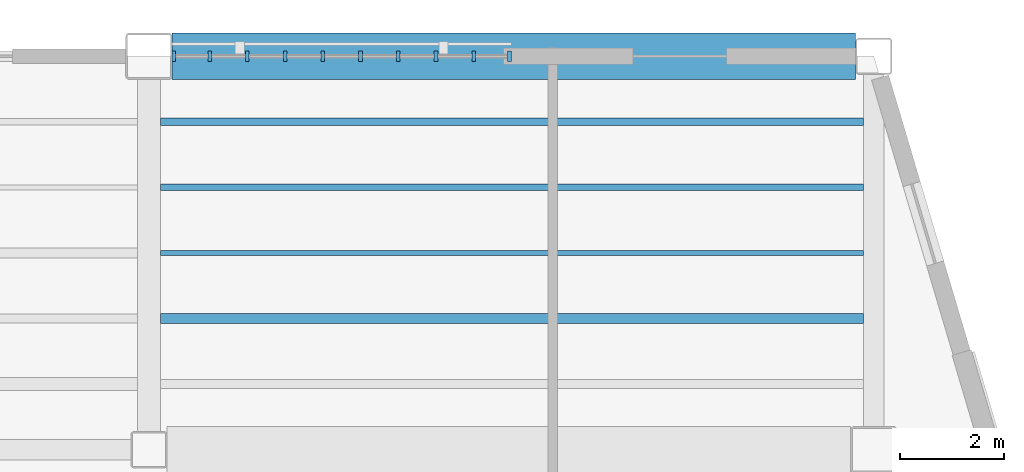
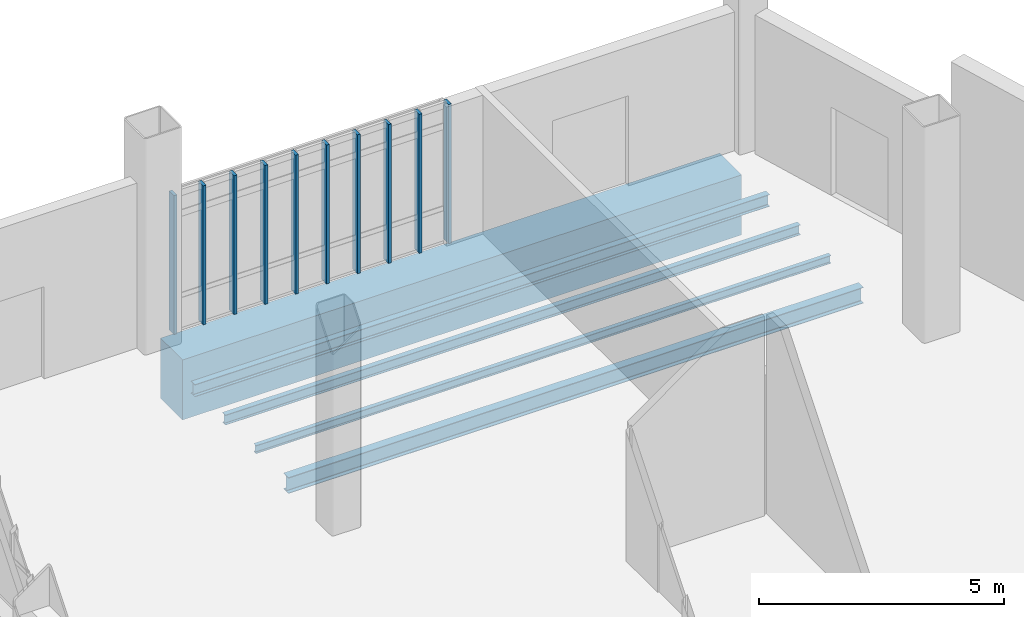
# One storey, part 32 of 111: 10 members, 5 beams, 1 element without a shape of its own.
"""IFC4 building model written with IfcOpenShell, lengths in metres."""

from ifc_helpers import new_model, si_unit, direction, frame, origin, origin_2d, place, context, subcontext, project, spatial, rectangle, i_section, extrude, material, material_profile, profile_set, type_object, element, aggregate, save


model = new_model("IFC4")

# Units and contexts
model_context = context("Model", 3, precision=1e-05, world=origin(), true_north=direction((0.0, 1.0)))
body_context = subcontext(model_context, "Body", "Model", "MODEL_VIEW")
ifc_project = project(units=[si_unit("LENGTHUNIT", "METRE"), si_unit("AREAUNIT", "SQUARE_METRE"), si_unit("VOLUMEUNIT", "CUBIC_METRE"), si_unit("PLANEANGLEUNIT", "RADIAN"), si_unit("MASSUNIT", "GRAM", prefix="KILO")], contexts=[model_context])

# Site, building, storey
site_placement = place(None, origin())
site = spatial("IfcSite", under=ifc_project, at=site_placement, CompositionType="ELEMENT")
building_placement = place(site_placement, origin())
building = spatial("IfcBuilding", under=site, at=building_placement, Name="Larkvane Passage Sports Hall", CompositionType="ELEMENT")
storey_placement = place(building_placement, origin())
storey = spatial("IfcBuildingStorey", under=building, at=storey_placement, Name="L00", CompositionType="ELEMENT", Elevation=0.0)

# Curtain wall, members
ifc_material_1 = material(Name="Thermally broken aluminium and low-E glazing", Category="aluminium")
curtain_wall_type = type_object("IfcCurtainWallType", Name="CW-UNIT-VEIL", PredefinedType="USERDEFINED", material=ifc_material_1)
curtain_wall_placement = place(storey_placement, origin())
curtain_wall = element("IfcCurtainWall", 1, at=curtain_wall_placement, inside=storey, type_object=curtain_wall_type, Name="Curtain wall CW5-L00-021", ObjectType="UNITISED CURTAIN WALL", PredefinedType="USERDEFINED")
ifc_material_2 = material(Name="Anodised aluminium 6063-T6", Category="aluminium")
ifc_material_profile_1 = material_profile(ifc_material_2, rectangle(XDim=0.070068359375, YDim=0.199951171875, at=origin_2d()), Name="ALU-MUL-70x200")
ifc_profile_set_1 = profile_set([ifc_material_profile_1], Name="Anodised aluminium 6063-T6")
member_type = type_object("IfcMemberType", Name="CW-MUL-70x200", PredefinedType="MULLION", material=ifc_profile_set_1)
member_1_placement = place(storey_placement, frame((132.0810546875, 99.199951171875, 0.0), z_axis=(0.0, 0.0, 1.0), x_axis=(1.0, 0.0, 0.0)))
member_1 = element("IfcMember", 2, at=member_1_placement, type_object=member_type, Name="CW-02 mullion 1", PredefinedType="MULLION", context=body_context, shape_type="SweptSolid", body=[
    extrude(rectangle(XDim=0.070068359375, YDim=0.199951171875, at=origin_2d()), origin(), (0.0, 0.0, 1.0), 3.468017578125),
])
member_2_placement = place(storey_placement, frame((132.774169921875, 99.199951171875, 0.0), z_axis=(0.0, 0.0, 1.0), x_axis=(1.0, 0.0, 0.0)))
member_2 = element("IfcMember", 3, at=member_2_placement, type_object=member_type, Name="CW-02 mullion 2", PredefinedType="MULLION", context=body_context, shape_type="SweptSolid", body=[
    extrude(rectangle(XDim=0.070068359375, YDim=0.199951171875, at=origin_2d()), origin(), (0.0, 0.0, 1.0), 3.468017578125),
])
member_3_placement = place(storey_placement, frame((133.50244140625, 99.199951171875, 0.0), z_axis=(0.0, 0.0, 1.0), x_axis=(1.0, 0.0, 0.0)))
member_3 = element("IfcMember", 4, at=member_3_placement, type_object=member_type, Name="CW-02 mullion 3", PredefinedType="MULLION", context=body_context, shape_type="SweptSolid", body=[
    extrude(rectangle(XDim=0.070068359375, YDim=0.199951171875, at=origin_2d()), origin(), (0.0, 0.0, 1.0), 3.468017578125),
])
member_4_placement = place(storey_placement, frame((134.230712890625, 99.199951171875, 0.0), z_axis=(0.0, 0.0, 1.0), x_axis=(1.0, 0.0, 0.0)))
member_4 = element("IfcMember", 5, at=member_4_placement, type_object=member_type, Name="CW-02 mullion 4", PredefinedType="MULLION", context=body_context, shape_type="SweptSolid", body=[
    extrude(rectangle(XDim=0.070068359375, YDim=0.199951171875, at=origin_2d()), origin(), (0.0, 0.0, 1.0), 3.468017578125),
])
member_5_placement = place(storey_placement, frame((134.958984375, 99.199951171875, 0.0), z_axis=(0.0, 0.0, 1.0), x_axis=(1.0, 0.0, 0.0)))
member_5 = element("IfcMember", 6, at=member_5_placement, type_object=member_type, Name="CW-02 mullion 5", PredefinedType="MULLION", context=body_context, shape_type="SweptSolid", body=[
    extrude(rectangle(XDim=0.070068359375, YDim=0.199951171875, at=origin_2d()), origin(), (0.0, 0.0, 1.0), 3.468017578125),
])
member_6_placement = place(storey_placement, frame((135.68701171875, 99.199951171875, 0.0), z_axis=(0.0, 0.0, 1.0), x_axis=(1.0, 0.0, 0.0)))
member_6 = element("IfcMember", 7, at=member_6_placement, type_object=member_type, Name="CW-02 mullion 6", PredefinedType="MULLION", context=body_context, shape_type="SweptSolid", body=[
    extrude(rectangle(XDim=0.070068359375, YDim=0.199951171875, at=origin_2d()), origin(), (0.0, 0.0, 1.0), 3.468017578125),
])
member_7_placement = place(storey_placement, frame((136.415283203125, 99.199951171875, 0.0), z_axis=(0.0, 0.0, 1.0), x_axis=(1.0, 0.0, 0.0)))
member_7 = element("IfcMember", 8, at=member_7_placement, type_object=member_type, Name="CW-02 mullion 7", PredefinedType="MULLION", context=body_context, shape_type="SweptSolid", body=[
    extrude(rectangle(XDim=0.070068359375, YDim=0.199951171875, at=origin_2d()), origin(), (0.0, 0.0, 1.0), 3.468017578125),
])
member_8_placement = place(storey_placement, frame((137.1435546875, 99.199951171875, 0.0), z_axis=(0.0, 0.0, 1.0), x_axis=(1.0, 0.0, 0.0)))
member_8 = element("IfcMember", 9, at=member_8_placement, type_object=member_type, Name="CW-02 mullion 8", PredefinedType="MULLION", context=body_context, shape_type="SweptSolid", body=[
    extrude(rectangle(XDim=0.070068359375, YDim=0.199951171875, at=origin_2d()), origin(), (0.0, 0.0, 1.0), 3.468017578125),
])
member_9_placement = place(storey_placement, frame((137.871826171875, 99.199951171875, 0.0), z_axis=(0.0, 0.0, 1.0), x_axis=(1.0, 0.0, 0.0)))
member_9 = element("IfcMember", 10, at=member_9_placement, type_object=member_type, Name="CW-02 mullion 9", PredefinedType="MULLION", context=body_context, shape_type="SweptSolid", body=[
    extrude(rectangle(XDim=0.070068359375, YDim=0.199951171875, at=origin_2d()), origin(), (0.0, 0.0, 1.0), 3.468017578125),
])
member_10_placement = place(storey_placement, frame((138.56494140625, 99.199951171875, 0.0), z_axis=(0.0, 0.0, 1.0), x_axis=(1.0, 0.0, 0.0)))
member_10 = element("IfcMember", 11, at=member_10_placement, type_object=member_type, Name="CW-02 mullion 10", PredefinedType="MULLION", context=body_context, shape_type="SweptSolid", body=[
    extrude(rectangle(XDim=0.070068359375, YDim=0.199951171875, at=origin_2d()), origin(), (0.0, 0.0, 1.0), 3.468017578125),
])
aggregate(curtain_wall, [member_1, member_2, member_3, member_4, member_5, member_6, member_7, member_8, member_9, member_10])

# Beams
ifc_material_3 = material(Name="Steel S355JR", Category="steel")
ifc_material_profile_2 = material_profile(ifc_material_3, i_section(OverallWidth=0.10009765625, OverallDepth=0.199951171875, WebThickness=0.005615234375, FlangeThickness=0.008056640625, FilletRadius=0.008056640625, at=origin_2d()), Name="H-200x100x5.5x8")
ifc_profile_set_2 = profile_set([ifc_material_profile_2], Name="Steel S355JR")
beam_type_1 = type_object("IfcBeamType", Name="JST-STL-H200", PredefinedType="JOIST", material=ifc_profile_set_2)
beam_1_placement = place(storey_placement, frame((131.824951171875, 95.39990234375, -0.52001953125), z_axis=(1.0, 0.0, 0.0), x_axis=(0.0, 1.0, 0.0)))
element("IfcBeam", 12, at=beam_1_placement, inside=storey, type_object=beam_type_1, Name="Composite joist L00 18/L-3", PredefinedType="JOIST", context=body_context, shape_type="SweptSolid", body=[
    extrude(i_section(OverallWidth=0.10009765625, OverallDepth=0.199951171875, WebThickness=0.005615234375, FlangeThickness=0.008056640625, FilletRadius=0.008056640625, at=origin_2d()), origin(), (0.0, 0.0, 1.0), 13.574951171875),
])
ifc_material_profile_3 = material_profile(ifc_material_3, i_section(OverallWidth=0.125, OverallDepth=0.25, WebThickness=0.006103515625, FlangeThickness=0.009033203125, FilletRadius=0.008056640625, at=origin_2d()), Name="H-250x125x6x9")
ifc_profile_set_3 = profile_set([ifc_material_profile_3], Name="Steel S355JR")
beam_type_2 = type_object("IfcBeamType", Name="JST-STL-H250", PredefinedType="JOIST", material=ifc_profile_set_3)
beam_2_placement = place(storey_placement, frame((131.824951171875, 96.666748046875, -0.544921875), z_axis=(1.0, 0.0, 0.0), x_axis=(0.0, 1.0, 0.0)))
element("IfcBeam", 13, at=beam_2_placement, inside=storey, type_object=beam_type_2, Name="Composite joist L00 18/L-4", PredefinedType="JOIST", context=body_context, shape_type="SweptSolid", body=[
    extrude(i_section(OverallWidth=0.125, OverallDepth=0.25, WebThickness=0.006103515625, FlangeThickness=0.009033203125, FilletRadius=0.008056640625, at=origin_2d()), origin(), (0.0, 0.0, 1.0), 13.574951171875),
])
ifc_material_profile_4 = material_profile(ifc_material_3, i_section(OverallWidth=0.14990234375, OverallDepth=0.300048828125, WebThickness=0.006591796875, FlangeThickness=0.009033203125, FilletRadius=0.012939453125, at=origin_2d()), Name="H-300x150x6.5x9")
ifc_profile_set_4 = profile_set([ifc_material_profile_4], Name="Steel S355JR")
beam_type_3 = type_object("IfcBeamType", Name="JST-STL-H300", PredefinedType="JOIST", material=ifc_profile_set_4)
beam_3_placement = place(storey_placement, frame((131.824951171875, 97.933349609375, -0.570068359375), z_axis=(1.0, 0.0, 0.0), x_axis=(0.0, 1.0, 0.0)))
element("IfcBeam", 14, at=beam_3_placement, inside=storey, type_object=beam_type_3, Name="Composite joist L00 18/L-5", PredefinedType="JOIST", context=body_context, shape_type="SweptSolid", body=[
    extrude(i_section(OverallWidth=0.14990234375, OverallDepth=0.300048828125, WebThickness=0.006591796875, FlangeThickness=0.009033203125, FilletRadius=0.012939453125, at=origin_2d()), origin(), (0.0, 0.0, 1.0), 13.574951171875),
])
ifc_material_profile_5 = material_profile(ifc_material_3, i_section(OverallWidth=0.199951171875, OverallDepth=0.39990234375, WebThickness=0.008056640625, FlangeThickness=0.012939453125, FilletRadius=0.012939453125, at=origin_2d()), Name="H-400x200x8x13")
ifc_profile_set_5 = profile_set([ifc_material_profile_5], Name="Steel S355JR")
beam_type_4 = type_object("IfcBeamType", Name="JST-STL-H400", PredefinedType="JOIST", material=ifc_profile_set_5)
beam_4_placement = place(storey_placement, frame((131.824951171875, 94.13330078125, -0.6201171875), z_axis=(1.0, 0.0, 0.0), x_axis=(0.0, 1.0, 0.0)))
element("IfcBeam", 15, at=beam_4_placement, inside=storey, type_object=beam_type_4, Name="Composite joist L00 18/L-2", PredefinedType="JOIST", context=body_context, shape_type="SweptSolid", body=[
    extrude(i_section(OverallWidth=0.199951171875, OverallDepth=0.39990234375, WebThickness=0.008056640625, FlangeThickness=0.012939453125, FilletRadius=0.012939453125, at=origin_2d()), origin(), (0.0, 0.0, 1.0), 13.574951171875),
])
ifc_material_4 = material(Name="Concrete C50/60", Category="concrete")
ifc_material_profile_6 = material_profile(ifc_material_4, rectangle(XDim=0.89990234375, YDim=1.5, at=origin_2d()), Name="PT-GIR-900x1500")
ifc_profile_set_6 = profile_set([ifc_material_profile_6], Name="Concrete C50/60")
beam_type_5 = type_object("IfcBeamType", Name="PTG-900x1500", PredefinedType="BEAM", material=ifc_profile_set_6)
beam_5_placement = place(storey_placement, frame((132.050048828125, 99.199951171875, -1.169921875), z_axis=(1.0, 0.0, 0.0), x_axis=(0.0, 1.0, 0.0)))
element("IfcBeam", 16, at=beam_5_placement, inside=storey, type_object=beam_type_5, Name="Post-tensioned transfer girder BM5-X-L00-M-0076", PredefinedType="BEAM", context=body_context, shape_type="SweptSolid", body=[
    extrude(rectangle(XDim=0.89990234375, YDim=1.5, at=origin_2d()), origin(), (0.0, 0.0, 1.0), 13.199951171875),
])

save(model, "model.ifc")
